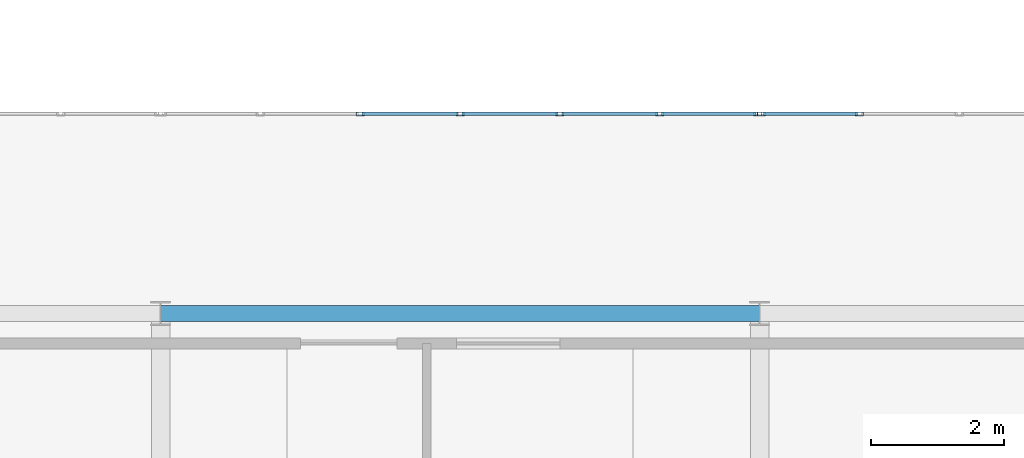
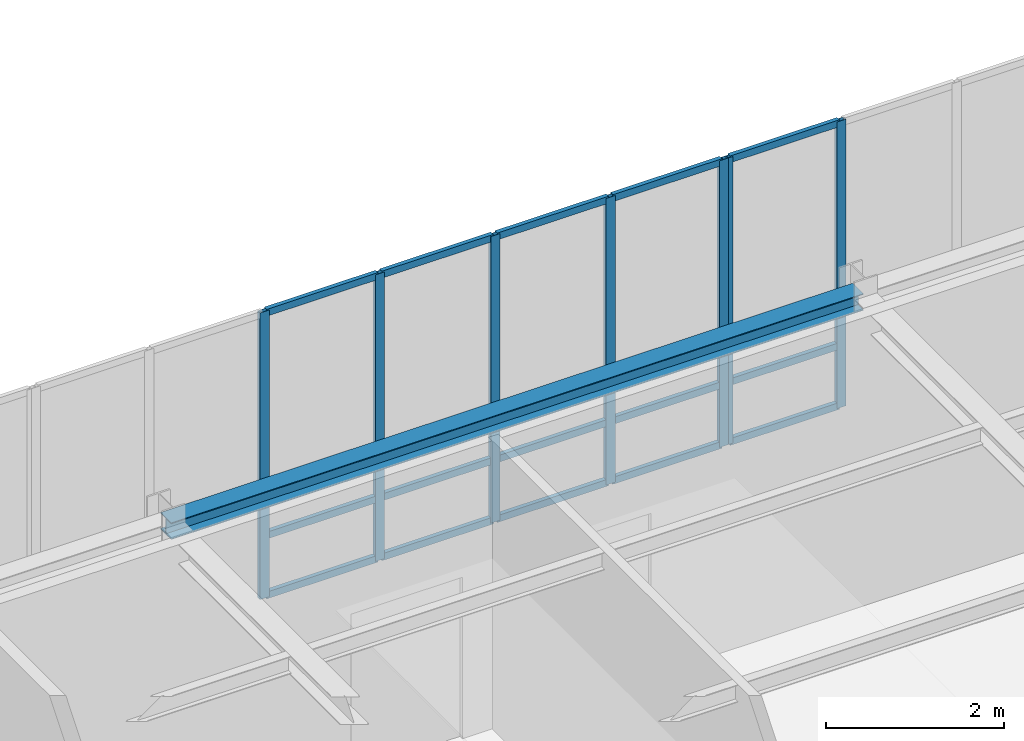
# One storey, part 23 of 97: 22 members, 1 beam, 2 elements without a shape of their own.
"""IFC4 building model written with IfcOpenShell, lengths in metres."""

from ifc_helpers import new_model, si_unit, direction, frame, origin, origin_2d, place, context, subcontext, project, spatial, hollow_rectangle, i_section, extrude, material, material_profile, profile_set, type_object, element, aggregate, save


model = new_model("IFC4")

# Units and contexts
model_context = context("Model", 3, precision=1e-05, world=origin(), true_north=direction((0.0, 1.0)))
body_context = subcontext(model_context, "Body", "Model", "MODEL_VIEW")
ifc_project = project(units=[si_unit("LENGTHUNIT", "METRE"), si_unit("AREAUNIT", "SQUARE_METRE"), si_unit("VOLUMEUNIT", "CUBIC_METRE"), si_unit("PLANEANGLEUNIT", "RADIAN"), si_unit("MASSUNIT", "GRAM", prefix="KILO")], contexts=[model_context])

# Site, building, storey
site_placement = place(None, origin())
site = spatial("IfcSite", under=ifc_project, at=site_placement, CompositionType="ELEMENT")
building_placement = place(site_placement, origin())
building = spatial("IfcBuilding", under=site, at=building_placement, Name="Lykobir Media Centre", CompositionType="ELEMENT")
storey_placement = place(building_placement, frame((0.0, 0.0, 23.39990234375)))
storey = spatial("IfcBuildingStorey", under=building, at=storey_placement, Name="L05", CompositionType="ELEMENT", Elevation=23.39990234375)

# Curtain wall, members
ifc_material_1 = material(Name="Anodized Aluminium AW-6060", Category="aluminium")
curtain_wall_type = type_object("IfcCurtainWallType", Name="CW-COURT-B", PredefinedType="NOTDEFINED", material=ifc_material_1)
curtain_wall_1_placement = place(storey_placement, origin())
curtain_wall_1 = element("IfcCurtainWall", 1, at=curtain_wall_1_placement, inside=storey, type_object=curtain_wall_type, Name="Curtain wall CW2-L05-0191", PredefinedType="NOTDEFINED")
ifc_material_profile_1 = material_profile(ifc_material_1, hollow_rectangle(XDim=0.054931640625, YDim=0.1201171875, WallThickness=0.003173828125, at=origin_2d()), Name="ALU MULLION 55x120")
ifc_profile_set_1 = profile_set([ifc_material_profile_1], Name="Anodized Aluminium AW-6060")
member_type_1 = type_object("IfcMemberType", Name="CWM-120", PredefinedType="MULLION", material=ifc_profile_set_1)
member_1_placement = place(storey_placement, frame((48.0, 21.0, 0.0), z_axis=(0.0, 0.0, 1.0), x_axis=(0.0, 1.0, 0.0)))
member_1 = element("IfcMember", 2, at=member_1_placement, type_object=member_type_1, Name="CW2-L05-0191 mullion 3", PredefinedType="MULLION", context=body_context, shape_type="SweptSolid", body=[
    extrude(hollow_rectangle(XDim=0.054931640625, YDim=0.1201171875, WallThickness=0.003173828125, at=origin_2d()), origin(), (0.0, 0.0, 1.0), 3.940185546875),
])
member_2_placement = place(storey_placement, frame((49.5, 21.0, 0.0), z_axis=(0.0, 0.0, 1.0), x_axis=(0.0, 1.0, 0.0)))
member_2 = element("IfcMember", 3, at=member_2_placement, type_object=member_type_1, Name="CW2-L05-0191 mullion 4", PredefinedType="MULLION", context=body_context, shape_type="SweptSolid", body=[
    extrude(hollow_rectangle(XDim=0.054931640625, YDim=0.1201171875, WallThickness=0.003173828125, at=origin_2d()), origin(), (0.0, 0.0, 1.0), 3.940185546875),
])
member_3_placement = place(storey_placement, frame((51.0, 21.0, 0.0), z_axis=(0.0, 0.0, 1.0), x_axis=(0.0, 1.0, 0.0)))
member_3 = element("IfcMember", 4, at=member_3_placement, type_object=member_type_1, Name="CW2-L05-0191 mullion 5", PredefinedType="MULLION", context=body_context, shape_type="SweptSolid", body=[
    extrude(hollow_rectangle(XDim=0.054931640625, YDim=0.1201171875, WallThickness=0.003173828125, at=origin_2d()), origin(), (0.0, 0.0, 1.0), 3.940185546875),
])
member_4_placement = place(storey_placement, frame((52.5, 21.0, 0.0), z_axis=(0.0, 0.0, 1.0), x_axis=(0.0, 1.0, 0.0)))
member_4 = element("IfcMember", 5, at=member_4_placement, type_object=member_type_1, Name="CW2-L05-0191 mullion 6", PredefinedType="MULLION", context=body_context, shape_type="SweptSolid", body=[
    extrude(hollow_rectangle(XDim=0.054931640625, YDim=0.1201171875, WallThickness=0.003173828125, at=origin_2d()), origin(), (0.0, 0.0, 1.0), 3.940185546875),
])
member_5_placement = place(storey_placement, frame((53.972412109375, 21.0, 0.0), z_axis=(0.0, 0.0, 1.0), x_axis=(0.0, 1.0, 0.0)))
member_5 = element("IfcMember", 6, at=member_5_placement, type_object=member_type_1, Name="CW2-L05-0191 mullion 7", PredefinedType="MULLION", context=body_context, shape_type="SweptSolid", body=[
    extrude(hollow_rectangle(XDim=0.054931640625, YDim=0.1201171875, WallThickness=0.003173828125, at=origin_2d()), origin(), (0.0, 0.0, 1.0), 3.940185546875),
])

curtain_wall_2_placement = place(storey_placement, origin())
curtain_wall_2 = element("IfcCurtainWall", 7, at=curtain_wall_2_placement, inside=storey, type_object=curtain_wall_type, Name="Curtain wall CW2-L05-0192", PredefinedType="NOTDEFINED")
member_6_placement = place(storey_placement, frame((54.027587890625, 21.0, 0.0), z_axis=(0.0, 0.0, 1.0), x_axis=(0.0, 1.0, 0.0)))
member_6 = element("IfcMember", 8, at=member_6_placement, type_object=member_type_1, Name="CW2-L05-0192 mullion 1", PredefinedType="MULLION", context=body_context, shape_type="SweptSolid", body=[
    extrude(hollow_rectangle(XDim=0.054931640625, YDim=0.1201171875, WallThickness=0.003173828125, at=origin_2d()), origin(), (0.0, 0.0, 1.0), 3.940185546875),
])
member_7_placement = place(storey_placement, frame((55.5, 21.0, 0.0), z_axis=(0.0, 0.0, 1.0), x_axis=(0.0, 1.0, 0.0)))
member_7 = element("IfcMember", 9, at=member_7_placement, type_object=member_type_1, Name="CW2-L05-0192 mullion 2", PredefinedType="MULLION", context=body_context, shape_type="SweptSolid", body=[
    extrude(hollow_rectangle(XDim=0.054931640625, YDim=0.1201171875, WallThickness=0.003173828125, at=origin_2d()), origin(), (0.0, 0.0, 1.0), 3.940185546875),
])

# Member
ifc_material_profile_2 = material_profile(ifc_material_1, hollow_rectangle(XDim=0.054931640625, YDim=0.094970703125, WallThickness=0.0029296875, at=origin_2d()), Name="ALU TRANSOM 55x95")
ifc_profile_set_2 = profile_set([ifc_material_profile_2], Name="Anodized Aluminium AW-6060")
member_type_2 = type_object("IfcMemberType", Name="CWT-095", PredefinedType="USERDEFINED", material=ifc_profile_set_2)
member_8_placement = place(storey_placement, frame((48.027587890625, 21.0, 0.027587890625), z_axis=(1.0, 0.0, 0.0), x_axis=(0.0, 1.0, 0.0)))
member_8 = element("IfcMember", 10, at=member_8_placement, type_object=member_type_2, Name="CW2-L05-0191 transom 3.1", ObjectType="TRANSOM", PredefinedType="USERDEFINED", context=body_context, shape_type="SweptSolid", body=[
    extrude(hollow_rectangle(XDim=0.054931640625, YDim=0.094970703125, WallThickness=0.0029296875, at=origin_2d()), origin(), (0.0, 0.0, 1.0), 1.44482421875),
])

member_9_placement = place(storey_placement, frame((48.027587890625, 21.0, 0.85009765625), z_axis=(1.0, 0.0, 0.0), x_axis=(0.0, 1.0, 0.0)))
member_9 = element("IfcMember", 11, at=member_9_placement, type_object=member_type_2, Name="CW2-L05-0191 transom 3.2", ObjectType="TRANSOM", PredefinedType="USERDEFINED", context=body_context, shape_type="SweptSolid", body=[
    extrude(hollow_rectangle(XDim=0.054931640625, YDim=0.094970703125, WallThickness=0.0029296875, at=origin_2d()), origin(), (0.0, 0.0, 1.0), 1.44482421875),
])

member_10_placement = place(storey_placement, frame((48.027587890625, 21.0, 3.91259765625), z_axis=(1.0, 0.0, 0.0), x_axis=(0.0, 1.0, 0.0)))
member_10 = element("IfcMember", 12, at=member_10_placement, type_object=member_type_2, Name="CW2-L05-0191 transom 3.3", ObjectType="TRANSOM", PredefinedType="USERDEFINED", context=body_context, shape_type="SweptSolid", body=[
    extrude(hollow_rectangle(XDim=0.054931640625, YDim=0.094970703125, WallThickness=0.0029296875, at=origin_2d()), origin(), (0.0, 0.0, 1.0), 1.44482421875),
])

member_11_placement = place(storey_placement, frame((49.527587890625, 21.0, 0.027587890625), z_axis=(1.0, 0.0, 0.0), x_axis=(0.0, 1.0, 0.0)))
member_11 = element("IfcMember", 13, at=member_11_placement, type_object=member_type_2, Name="CW2-L05-0191 transom 4.1", ObjectType="TRANSOM", PredefinedType="USERDEFINED", context=body_context, shape_type="SweptSolid", body=[
    extrude(hollow_rectangle(XDim=0.054931640625, YDim=0.094970703125, WallThickness=0.0029296875, at=origin_2d()), origin(), (0.0, 0.0, 1.0), 1.44482421875),
])

member_12_placement = place(storey_placement, frame((49.527587890625, 21.0, 0.85009765625), z_axis=(1.0, 0.0, 0.0), x_axis=(0.0, 1.0, 0.0)))
member_12 = element("IfcMember", 14, at=member_12_placement, type_object=member_type_2, Name="CW2-L05-0191 transom 4.2", ObjectType="TRANSOM", PredefinedType="USERDEFINED", context=body_context, shape_type="SweptSolid", body=[
    extrude(hollow_rectangle(XDim=0.054931640625, YDim=0.094970703125, WallThickness=0.0029296875, at=origin_2d()), origin(), (0.0, 0.0, 1.0), 1.44482421875),
])

member_13_placement = place(storey_placement, frame((49.527587890625, 21.0, 3.91259765625), z_axis=(1.0, 0.0, 0.0), x_axis=(0.0, 1.0, 0.0)))
member_13 = element("IfcMember", 15, at=member_13_placement, type_object=member_type_2, Name="CW2-L05-0191 transom 4.3", ObjectType="TRANSOM", PredefinedType="USERDEFINED", context=body_context, shape_type="SweptSolid", body=[
    extrude(hollow_rectangle(XDim=0.054931640625, YDim=0.094970703125, WallThickness=0.0029296875, at=origin_2d()), origin(), (0.0, 0.0, 1.0), 1.44482421875),
])

member_14_placement = place(storey_placement, frame((51.027587890625, 21.0, 0.027587890625), z_axis=(1.0, 0.0, 0.0), x_axis=(0.0, 1.0, 0.0)))
member_14 = element("IfcMember", 16, at=member_14_placement, type_object=member_type_2, Name="CW2-L05-0191 transom 5.1", ObjectType="TRANSOM", PredefinedType="USERDEFINED", context=body_context, shape_type="SweptSolid", body=[
    extrude(hollow_rectangle(XDim=0.054931640625, YDim=0.094970703125, WallThickness=0.0029296875, at=origin_2d()), origin(), (0.0, 0.0, 1.0), 1.44482421875),
])

member_15_placement = place(storey_placement, frame((51.027587890625, 21.0, 0.85009765625), z_axis=(1.0, 0.0, 0.0), x_axis=(0.0, 1.0, 0.0)))
member_15 = element("IfcMember", 17, at=member_15_placement, type_object=member_type_2, Name="CW2-L05-0191 transom 5.2", ObjectType="TRANSOM", PredefinedType="USERDEFINED", context=body_context, shape_type="SweptSolid", body=[
    extrude(hollow_rectangle(XDim=0.054931640625, YDim=0.094970703125, WallThickness=0.0029296875, at=origin_2d()), origin(), (0.0, 0.0, 1.0), 1.44482421875),
])

member_16_placement = place(storey_placement, frame((51.027587890625, 21.0, 3.91259765625), z_axis=(1.0, 0.0, 0.0), x_axis=(0.0, 1.0, 0.0)))
member_16 = element("IfcMember", 18, at=member_16_placement, type_object=member_type_2, Name="CW2-L05-0191 transom 5.3", ObjectType="TRANSOM", PredefinedType="USERDEFINED", context=body_context, shape_type="SweptSolid", body=[
    extrude(hollow_rectangle(XDim=0.054931640625, YDim=0.094970703125, WallThickness=0.0029296875, at=origin_2d()), origin(), (0.0, 0.0, 1.0), 1.44482421875),
])

member_17_placement = place(storey_placement, frame((52.527587890625, 21.0, 0.027587890625), z_axis=(1.0, 0.0, 0.0), x_axis=(0.0, 1.0, 0.0)))
member_17 = element("IfcMember", 19, at=member_17_placement, type_object=member_type_2, Name="CW2-L05-0191 transom 6.1", ObjectType="TRANSOM", PredefinedType="USERDEFINED", context=body_context, shape_type="SweptSolid", body=[
    extrude(hollow_rectangle(XDim=0.054931640625, YDim=0.094970703125, WallThickness=0.0029296875, at=origin_2d()), origin(), (0.0, 0.0, 1.0), 1.41748046875),
])

member_18_placement = place(storey_placement, frame((52.527587890625, 21.0, 0.85009765625), z_axis=(1.0, 0.0, 0.0), x_axis=(0.0, 1.0, 0.0)))
member_18 = element("IfcMember", 20, at=member_18_placement, type_object=member_type_2, Name="CW2-L05-0191 transom 6.2", ObjectType="TRANSOM", PredefinedType="USERDEFINED", context=body_context, shape_type="SweptSolid", body=[
    extrude(hollow_rectangle(XDim=0.054931640625, YDim=0.094970703125, WallThickness=0.0029296875, at=origin_2d()), origin(), (0.0, 0.0, 1.0), 1.41748046875),
])

member_19_placement = place(storey_placement, frame((52.527587890625, 21.0, 3.91259765625), z_axis=(1.0, 0.0, 0.0), x_axis=(0.0, 1.0, 0.0)))
member_19 = element("IfcMember", 21, at=member_19_placement, type_object=member_type_2, Name="CW2-L05-0191 transom 6.3", ObjectType="TRANSOM", PredefinedType="USERDEFINED", context=body_context, shape_type="SweptSolid", body=[
    extrude(hollow_rectangle(XDim=0.054931640625, YDim=0.094970703125, WallThickness=0.0029296875, at=origin_2d()), origin(), (0.0, 0.0, 1.0), 1.41748046875),
])

aggregate(curtain_wall_1, [member_1, member_2, member_3, member_4, member_5, member_8, member_9, member_10, member_11, member_12, member_13, member_14, member_15, member_16, member_17, member_18, member_19])

member_20_placement = place(storey_placement, frame((54.054931640625, 21.0, 0.027587890625), z_axis=(1.0, 0.0, 0.0), x_axis=(0.0, 1.0, 0.0)))
member_20 = element("IfcMember", 22, at=member_20_placement, type_object=member_type_2, Name="CW2-L05-0192 transom 1.1", ObjectType="TRANSOM", PredefinedType="USERDEFINED", context=body_context, shape_type="SweptSolid", body=[
    extrude(hollow_rectangle(XDim=0.054931640625, YDim=0.094970703125, WallThickness=0.0029296875, at=origin_2d()), origin(), (0.0, 0.0, 1.0), 1.41748046875),
])

member_21_placement = place(storey_placement, frame((54.054931640625, 21.0, 0.85009765625), z_axis=(1.0, 0.0, 0.0), x_axis=(0.0, 1.0, 0.0)))
member_21 = element("IfcMember", 23, at=member_21_placement, type_object=member_type_2, Name="CW2-L05-0192 transom 1.2", ObjectType="TRANSOM", PredefinedType="USERDEFINED", context=body_context, shape_type="SweptSolid", body=[
    extrude(hollow_rectangle(XDim=0.054931640625, YDim=0.094970703125, WallThickness=0.0029296875, at=origin_2d()), origin(), (0.0, 0.0, 1.0), 1.41748046875),
])

member_22_placement = place(storey_placement, frame((54.054931640625, 21.0, 3.91259765625), z_axis=(1.0, 0.0, 0.0), x_axis=(0.0, 1.0, 0.0)))
member_22 = element("IfcMember", 24, at=member_22_placement, type_object=member_type_2, Name="CW2-L05-0192 transom 1.3", ObjectType="TRANSOM", PredefinedType="USERDEFINED", context=body_context, shape_type="SweptSolid", body=[
    extrude(hollow_rectangle(XDim=0.054931640625, YDim=0.094970703125, WallThickness=0.0029296875, at=origin_2d()), origin(), (0.0, 0.0, 1.0), 1.41748046875),
])

aggregate(curtain_wall_2, [member_6, member_7, member_20, member_21, member_22])

# Beam
ifc_material_2 = material(Name="Steel S355", Category="steel")
ifc_material_profile_3 = material_profile(ifc_material_2, i_section(OverallWidth=0.239990234375, OverallDepth=0.22998046875, WebThickness=0.007568359375, FlangeThickness=0.011962890625, at=origin_2d()), Name="HEA 240")
ifc_profile_set_3 = profile_set([ifc_material_profile_3], Name="Steel S355")
beam_type = type_object("IfcBeamType", Name="SP-HEA240", PredefinedType="SPANDREL", material=ifc_profile_set_3)
beam_placement = place(storey_placement, frame((45.0, 18.0, 3.84521484375), z_axis=(1.0, 0.0, 0.0), x_axis=(0.0, 1.0, 0.0)))
element("IfcBeam", 25, at=beam_placement, inside=storey, type_object=beam_type, Name="Beam BM-L05-0450-0180-0540-0180-2724", PredefinedType="SPANDREL", context=body_context, shape_type="SweptSolid", body=[
    extrude(i_section(OverallWidth=0.239990234375, OverallDepth=0.22998046875, WebThickness=0.007568359375, FlangeThickness=0.011962890625, at=origin_2d()), origin(), (0.0, 0.0, 1.0), 9.0),
])

save(model, "model.ifc")
